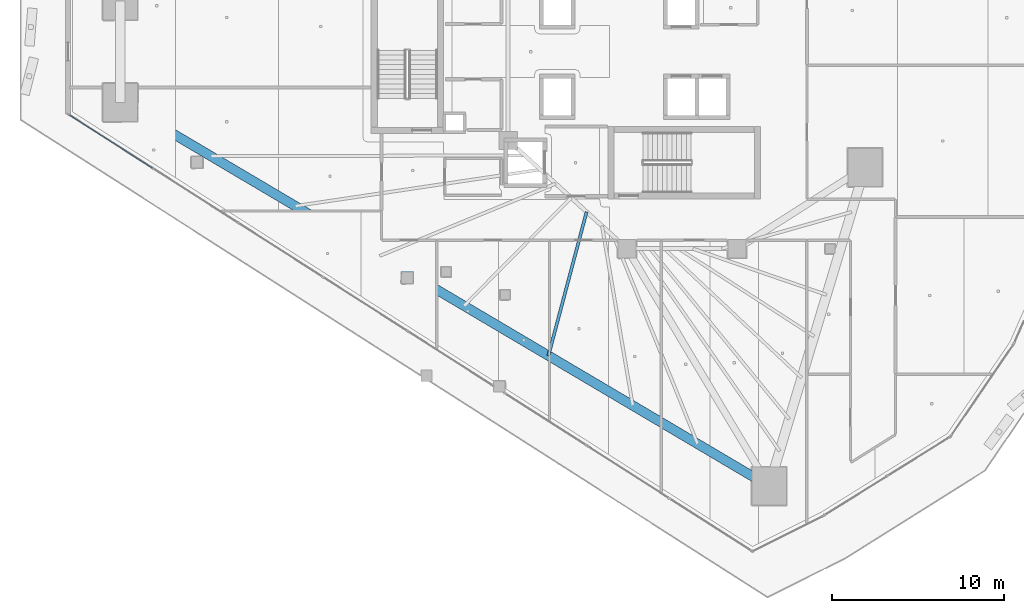
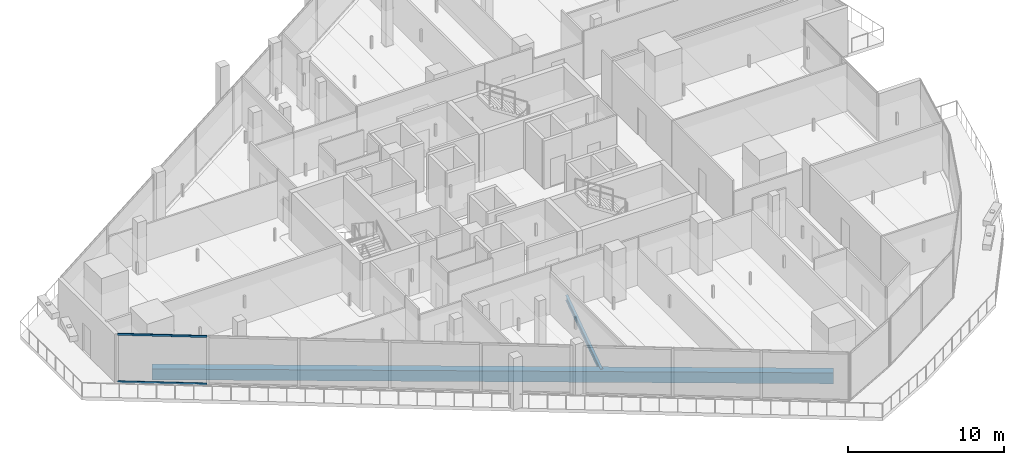
# One storey, part 3 of 35: 2 beams, 2 members, 1 element without a shape of its own.
"""IFC4 building model written with IfcOpenShell, lengths in metres."""

from ifc_helpers import new_model, si_unit, direction, frame, origin, origin_2d, place, context, subcontext, project, spatial, rectangle, hollow_rectangle, i_section, extrude, material, layer, layer_set, material_profile, profile_set, type_object, element, aggregate, save


model = new_model("IFC4")

# Units and contexts
model_context = context("Model", 3, precision=1e-05, world=origin(), true_north=direction((0.0, 1.0)))
body_context = subcontext(model_context, "Body", "Model", "MODEL_VIEW")
ifc_project = project(units=[si_unit("LENGTHUNIT", "METRE"), si_unit("AREAUNIT", "SQUARE_METRE"), si_unit("VOLUMEUNIT", "CUBIC_METRE"), si_unit("PLANEANGLEUNIT", "RADIAN"), si_unit("MASSUNIT", "GRAM", prefix="KILO")], contexts=[model_context])

# Site, building, storey
site_placement = place(None, origin())
site = spatial("IfcSite", under=ifc_project, at=site_placement, CompositionType="ELEMENT")
building_placement = place(site_placement, origin())
building = spatial("IfcBuilding", under=site, at=building_placement, Name="Qorvath Tower", CompositionType="ELEMENT")
storey_placement = place(building_placement, frame((0.0, 0.0, 166.5)))
storey = spatial("IfcBuildingStorey", under=building, at=storey_placement, Name="L38", CompositionType="ELEMENT", Elevation=166.5)

# Beams
ifc_material_1 = material(Name="Steel ASTM A992 Grade 50", Category="steel")
ifc_material_profile_1 = material_profile(ifc_material_1, i_section(OverallWidth=0.177978515625, OverallDepth=0.406005859375, WebThickness=0.0078125, FlangeThickness=0.0126953125, FilletRadius=0.010986328125, at=origin_2d()), Name="W16x40")
ifc_profile_set_1 = profile_set([ifc_material_profile_1], Name="Steel ASTM A992 Grade 50")
beam_type_1 = type_object("IfcBeamType", Name="BM-FJ3", PredefinedType="JOIST", material=ifc_profile_set_1)
beam_1_placement = place(storey_placement, frame((-25.946044921875, -9.30810546875, -0.472900390625), z_axis=(-0.256507909517, -0.966542131702, 0.0), x_axis=(0.966542131702, -0.256507909517, 0.0)))
element("IfcBeam", 1, at=beam_1_placement, inside=storey, type_object=beam_type_1, Name="Composite Floor Joist SW5 L38", PredefinedType="JOIST", context=body_context, shape_type="SweptSolid", body=[
    extrude(i_section(OverallWidth=0.177978515625, OverallDepth=0.406005859375, WebThickness=0.0078125, FlangeThickness=0.0126953125, FilletRadius=0.010986328125, at=origin_2d()), origin(), (0.0, 0.0, 1.0), 8.64697265625),
])
ifc_material_2 = material(Name="Concrete C50/60", Category="concrete")
ifc_material_profile_2 = material_profile(ifc_material_2, rectangle(XDim=0.550048828125, YDim=0.85009765625, at=origin_2d()), Name="RCB 850x550")
ifc_profile_set_2 = profile_set([ifc_material_profile_2], Name="Concrete C50/60")
beam_type_2 = type_object("IfcBeamType", Name="BM-RCB2", PredefinedType="SPANDREL", material=ifc_profile_set_2)
beam_2_placement = place(storey_placement, frame((-53.04931640625, -2.95068359375, -0.695068359375), z_axis=(0.860775142889, -0.508985415689, 0.0), x_axis=(0.508985415689, 0.860775142889, 0.0)))
element("IfcBeam", 2, at=beam_2_placement, inside=storey, type_object=beam_type_2, Name="Perimeter Loggia Frame Beam MC2-MC3 L38", PredefinedType="SPANDREL", context=body_context, shape_type="SweptSolid", body=[
    extrude(rectangle(XDim=0.550048828125, YDim=0.85009765625, at=origin_2d()), origin(), (0.0, 0.0, 1.0), 43.8037109375),
])

# Curtain wall, members
ifc_material_3 = material(Name="Anodised aluminium and triple low-E glass", Category="aluminium")
ifc_layer = layer(ifc_material_3, 0.179931640625)
ifc_layer_set = layer_set([ifc_layer], Name="CW-SYS-3")
curtain_wall_type = type_object("IfcCurtainWallType", Name="CW-SYS-3", PredefinedType="NOTDEFINED", material=ifc_layer_set)
curtain_wall_placement = place(storey_placement, origin())
curtain_wall = element("IfcCurtainWall", 3, at=curtain_wall_placement, inside=storey, type_object=curtain_wall_type, Name="Curtain Wall CW-3 CW-T-L38-2.1", PredefinedType="NOTDEFINED")
ifc_material_4 = material(Name="Anodised aluminium 6063-T6", Category="aluminium")
ifc_material_profile_3 = material_profile(ifc_material_4, hollow_rectangle(XDim=0.06494140625, YDim=0.159912109375, WallThickness=0.00341796875, InnerFilletRadius=0.00341796875, OuterFilletRadius=0.007080078125, at=origin_2d()), Name="CWT 160x65")
ifc_profile_set_3 = profile_set([ifc_material_profile_3], Name="Anodised aluminium 6063-T6")
member_type = type_object("IfcMemberType", Name="CWT-160", PredefinedType="USERDEFINED", material=ifc_profile_set_3)
member_1_placement = place(storey_placement, frame((-56.0263671875, -3.66552734375, 0.032470703125), z_axis=(0.842601233271, -0.538537985374, 0.0), x_axis=(0.538537985374, 0.842601233271, 0.0)))
member_1 = element("IfcMember", 4, at=member_1_placement, type_object=member_type, Name="CW-3 transom 1.1", ObjectType="TRANSOM", PredefinedType="USERDEFINED", context=body_context, shape_type="SweptSolid", body=[
    extrude(hollow_rectangle(XDim=0.06494140625, YDim=0.159912109375, WallThickness=0.00341796875, InnerFilletRadius=0.00341796875, OuterFilletRadius=0.007080078125, at=origin_2d()), origin(), (0.0, 0.0, 1.0), 5.76416015625),
])
member_2_placement = place(storey_placement, frame((-56.0263671875, -3.66552734375, 3.74755859375), z_axis=(0.842601233271, -0.538537985374, 0.0), x_axis=(0.538537985374, 0.842601233271, 0.0)))
member_2 = element("IfcMember", 5, at=member_2_placement, type_object=member_type, Name="CW-3 transom 1.2", ObjectType="TRANSOM", PredefinedType="USERDEFINED", context=body_context, shape_type="SweptSolid", body=[
    extrude(hollow_rectangle(XDim=0.06494140625, YDim=0.159912109375, WallThickness=0.00341796875, InnerFilletRadius=0.00341796875, OuterFilletRadius=0.007080078125, at=origin_2d()), origin(), (0.0, 0.0, 1.0), 5.76416015625),
])
aggregate(curtain_wall, [member_1, member_2])

save(model, "model.ifc")
